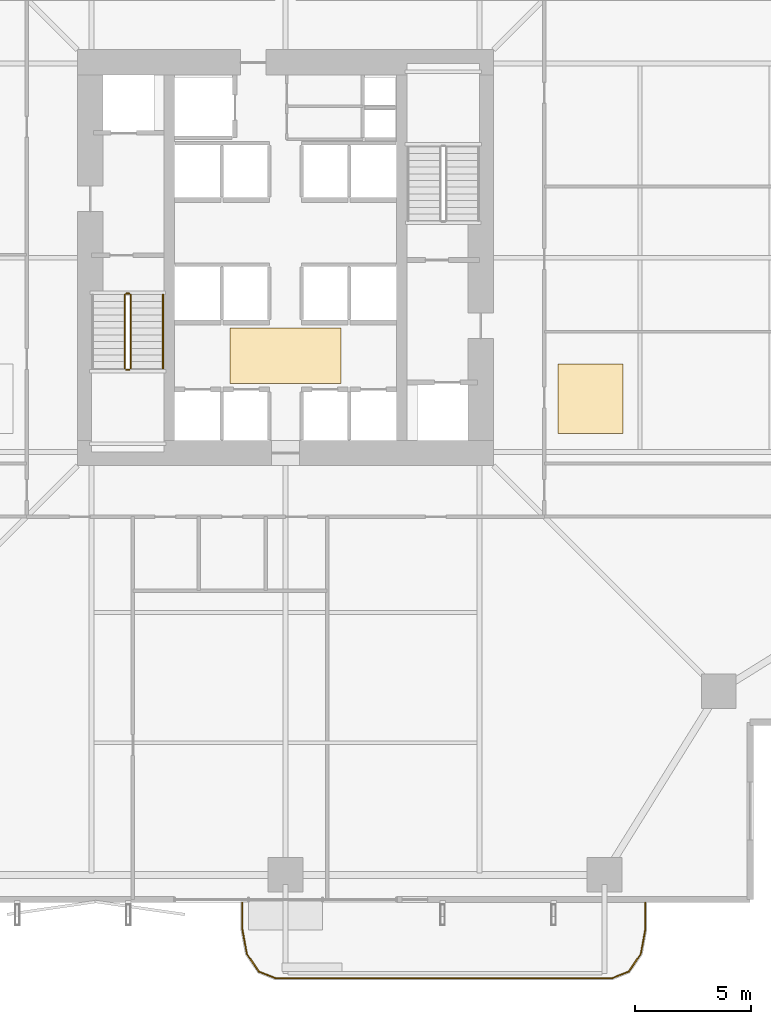
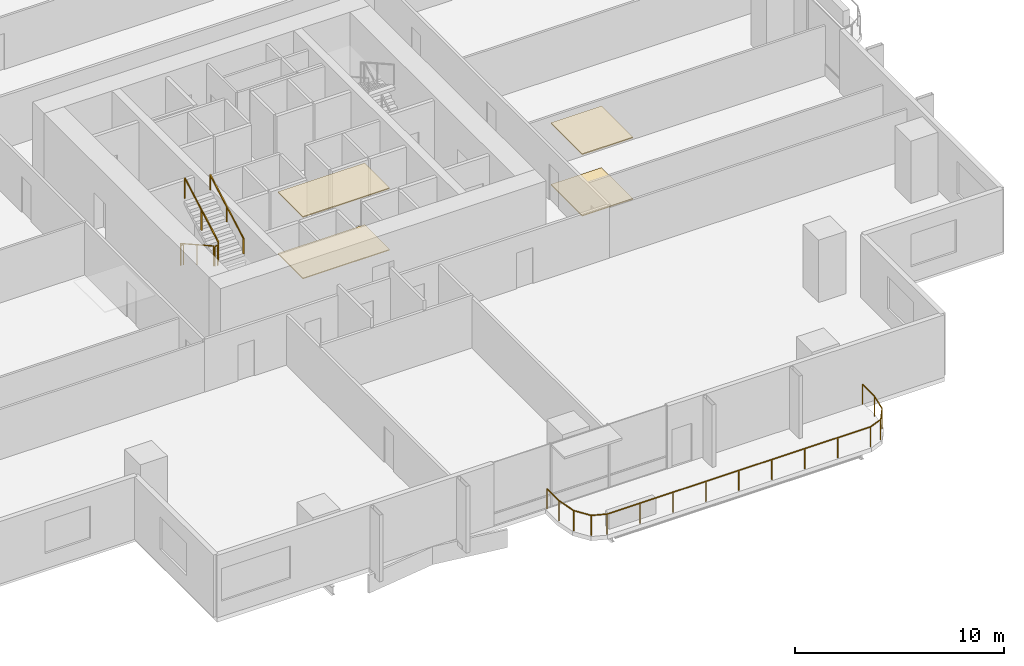
# One storey, part 22 of 24: 6 railings, 4 coverings.
"""IFC4 building model written with IfcOpenShell, lengths in metres."""

from ifc_helpers import new_model, si_unit, direction, frame, origin, origin_2d, place, context, subcontext, project, spatial, polyline, rectangle, outline, extrude, material, layer, layer_set, type_object, element, save


model = new_model("IFC4")

# Units and contexts
model_context = context("Model", 3, precision=1e-05, world=origin(), true_north=direction((0.0, 1.0)))
body_context = subcontext(model_context, "Body", "Model", "MODEL_VIEW")
ifc_project = project(units=[si_unit("LENGTHUNIT", "METRE"), si_unit("AREAUNIT", "SQUARE_METRE"), si_unit("VOLUMEUNIT", "CUBIC_METRE"), si_unit("PLANEANGLEUNIT", "RADIAN"), si_unit("MASSUNIT", "GRAM", prefix="KILO")], contexts=[model_context])

# Site, building, storey
site_placement = place(None, origin())
site = spatial("IfcSite", under=ifc_project, at=site_placement, CompositionType="ELEMENT")
building_placement = place(site_placement, origin())
building = spatial("IfcBuilding", under=site, at=building_placement, Name="Belovzor Exchange Tower", CompositionType="ELEMENT")
storey_placement = place(building_placement, frame((0.0, 0.0, 92.39990234375)))
storey = spatial("IfcBuildingStorey", under=building, at=storey_placement, Name="L22", CompositionType="ELEMENT", Elevation=92.39990234375)

# Railings
ifc_material_1 = material(Name="Stainless Steel Grade 304", Category="steel")
railing_type_1 = type_object("IfcRailingType", Name="Brushed Stainless Steel Stair Handrail 900", PredefinedType="HANDRAIL", material=ifc_material_1)
railing_1_placement = place(storey_placement, frame((23.5, 24.010009765625, 2.112548828125)))
element("IfcRailing", 1, at=railing_1_placement, inside=storey, type_object=railing_type_1, Name="L22 ST-1 stair handrail 2", PredefinedType="HANDRAIL", context=body_context, shape_type="SweptSolid", body=[
    extrude(rectangle(XDim=0.048095703125, YDim=0.048095703125, at=origin_2d()), frame((0.0, 0.0, 0.8759765625), z_axis=(0.0, 0.8723625253, 0.488859514025), x_axis=(-1.0, 0.0, 0.0)), (0.0, 0.0, 1.0), 3.65673828125),
    extrude(rectangle(XDim=0.0419921875, YDim=0.0419921875, at=origin_2d()), origin(), (0.0, 0.0, 1.0), 0.851806640625),
    extrude(rectangle(XDim=0.0419921875, YDim=0.0419921875, at=origin_2d()), frame((0.0, 1.594970703125, 0.893798828125)), (0.0, 0.0, 1.0), 0.851806640625),
    extrude(rectangle(XDim=0.0419921875, YDim=0.0419921875, at=origin_2d()), frame((0.0, 3.18994140625, 1.78759765625)), (0.0, 0.0, 1.0), 0.851806640625),
])
ifc_material_2 = material(Name="Stainless Steel and Laminated Safety Glass", Category="steel")
railing_type_2 = type_object("IfcRailingType", Name="Laminated Glass & Stainless Steel Balcony Balustrade 1200", PredefinedType="BALUSTRADE", material=ifc_material_2)
railing_2_placement = place(storey_placement, frame((26.929931640625, 0.889892578125, 0.0)))
element("IfcRailing", 2, at=railing_2_placement, inside=storey, type_object=railing_type_2, Name="GR-1 Balcony Balustrade L22 South", PredefinedType="BALUSTRADE", context=body_context, shape_type="SweptSolid", body=[
    extrude(rectangle(XDim=0.048095703125, YDim=0.048095703125, at=origin_2d()), frame((0.0, 0.0, 1.17578125), z_axis=(0.0, -1.0, 0.0), x_axis=(1.0, 0.0, 0.0)), (0.0, 0.0, 1.0), 1.1328125),
    extrude(rectangle(XDim=0.048095703125, YDim=0.048095703125, at=origin_2d()), frame((0.0, -1.1328125, 1.17578125), z_axis=(0.180083182347, -0.983651385113, 0.0), x_axis=(0.983651385113, 0.180083182347, 0.0)), (0.0, 0.0, 1.0), 1.093994140625),
    extrude(rectangle(XDim=0.048095703125, YDim=0.048095703125, at=origin_2d()), frame((0.197021484375, -2.208984375, 1.17578125), z_axis=(0.56294695933, -0.826493025367, 0.0), x_axis=(0.826493025367, 0.56294695933, 0.0)), (0.0, 0.0, 1.0), 0.932861328125),
    extrude(rectangle(XDim=0.048095703125, YDim=0.048095703125, at=origin_2d()), frame((0.72216796875, -2.97998046875, 1.17578125), z_axis=(0.930766990125, -0.365612923861, 0.0), x_axis=(0.365612923861, 0.930766990125, 0.0)), (0.0, 0.0, 1.0), 0.765869140625),
    extrude(rectangle(XDim=0.048095703125, YDim=0.048095703125, at=origin_2d()), frame((1.43505859375, -3.260009765625, 1.17578125), z_axis=(1.0, 0.0, 0.0), x_axis=(0.0, 1.0, 0.0)), (0.0, 0.0, 1.0), 14.570068359375),
    extrude(rectangle(XDim=0.048095703125, YDim=0.048095703125, at=origin_2d()), frame((16.005126953125, -3.260009765625, 1.17578125), z_axis=(0.930766990125, 0.365612923861, 0.0), x_axis=(-0.365612923861, 0.930766990125, 0.0)), (0.0, 0.0, 1.0), 0.765869140625),
    extrude(rectangle(XDim=0.048095703125, YDim=0.048095703125, at=origin_2d()), frame((16.718017578125, -2.97998046875, 1.17578125), z_axis=(0.56294695933, 0.826493025367, 0.0), x_axis=(-0.826493025367, 0.56294695933, 0.0)), (0.0, 0.0, 1.0), 0.932861328125),
    extrude(rectangle(XDim=0.048095703125, YDim=0.048095703125, at=origin_2d()), frame((17.2431640625, -2.208984375, 1.17578125), z_axis=(0.180083182347, 0.983651385113, 0.0), x_axis=(-0.983651385113, 0.180083182347, 0.0)), (0.0, 0.0, 1.0), 1.093994140625),
    extrude(rectangle(XDim=0.048095703125, YDim=0.048095703125, at=origin_2d()), frame((17.440185546875, -1.1328125, 1.17578125), z_axis=(0.0, 1.0, 0.0), x_axis=(-1.0, 0.0, 0.0)), (0.0, 0.0, 1.0), 1.1328125),
    extrude(rectangle(XDim=0.0419921875, YDim=0.0419921875, at=origin_2d()), origin(), (0.0, 0.0, 1.0), 1.15185546875),
    extrude(rectangle(XDim=0.0419921875, YDim=0.0419921875, at=origin_2d()), frame((0.0, -1.1328125, 0.0)), (0.0, 0.0, 1.0), 1.15185546875),
    extrude(rectangle(XDim=0.0419921875, YDim=0.0419921875, at=origin_2d()), frame((0.197021484375, -2.208984375, 0.0)), (0.0, 0.0, 1.0), 1.15185546875),
    extrude(rectangle(XDim=0.0419921875, YDim=0.0419921875, at=origin_2d()), frame((0.72216796875, -2.97998046875, 0.0)), (0.0, 0.0, 1.0), 1.15185546875),
    extrude(rectangle(XDim=0.0419921875, YDim=0.0419921875, at=origin_2d()), frame((1.43505859375, -3.260009765625, 0.0)), (0.0, 0.0, 1.0), 1.15185546875),
    extrude(rectangle(XDim=0.0419921875, YDim=0.0419921875, at=origin_2d()), frame((3.25634765625, -3.260009765625, 0.0)), (0.0, 0.0, 1.0), 1.15185546875),
    extrude(rectangle(XDim=0.0419921875, YDim=0.0419921875, at=origin_2d()), frame((5.07763671875, -3.260009765625, 0.0)), (0.0, 0.0, 1.0), 1.15185546875),
    extrude(rectangle(XDim=0.0419921875, YDim=0.0419921875, at=origin_2d()), frame((6.89892578125, -3.260009765625, 0.0)), (0.0, 0.0, 1.0), 1.15185546875),
    extrude(rectangle(XDim=0.0419921875, YDim=0.0419921875, at=origin_2d()), frame((8.72021484375, -3.260009765625, 0.0)), (0.0, 0.0, 1.0), 1.15185546875),
    extrude(rectangle(XDim=0.0419921875, YDim=0.0419921875, at=origin_2d()), frame((10.541259765625, -3.260009765625, 0.0)), (0.0, 0.0, 1.0), 1.15185546875),
    extrude(rectangle(XDim=0.0419921875, YDim=0.0419921875, at=origin_2d()), frame((12.362548828125, -3.260009765625, 0.0)), (0.0, 0.0, 1.0), 1.15185546875),
    extrude(rectangle(XDim=0.0419921875, YDim=0.0419921875, at=origin_2d()), frame((14.183837890625, -3.260009765625, 0.0)), (0.0, 0.0, 1.0), 1.15185546875),
    extrude(rectangle(XDim=0.0419921875, YDim=0.0419921875, at=origin_2d()), frame((16.005126953125, -3.260009765625, 0.0)), (0.0, 0.0, 1.0), 1.15185546875),
    extrude(rectangle(XDim=0.0419921875, YDim=0.0419921875, at=origin_2d()), frame((16.718017578125, -2.97998046875, 0.0)), (0.0, 0.0, 1.0), 1.15185546875),
    extrude(rectangle(XDim=0.0419921875, YDim=0.0419921875, at=origin_2d()), frame((17.2431640625, -2.208984375, 0.0)), (0.0, 0.0, 1.0), 1.15185546875),
    extrude(rectangle(XDim=0.0419921875, YDim=0.0419921875, at=origin_2d()), frame((17.440185546875, -1.1328125, 0.0)), (0.0, 0.0, 1.0), 1.15185546875),
    extrude(rectangle(XDim=0.0419921875, YDim=0.0419921875, at=origin_2d()), frame((17.440185546875, 0.0, 0.0)), (0.0, 0.0, 1.0), 1.15185546875),
])
ifc_material_3 = material(Name="Steel S355", Category="steel")
railing_type_3 = type_object("IfcRailingType", Name="Painted Steel Stairwell Guardrail 1200", PredefinedType="GUARDRAIL", material=ifc_material_3)
railing_3_placement = place(storey_placement, frame((21.85009765625, 27.199951171875, 0.16259765625)))
element("IfcRailing", 3, at=railing_3_placement, inside=storey, type_object=railing_type_3, Name="L22 ST-1 stair guard 1", PredefinedType="GUARDRAIL", context=body_context, shape_type="SweptSolid", body=[
    extrude(rectangle(XDim=0.048095703125, YDim=0.048095703125, at=origin_2d()), frame((0.0, 0.0, 1.17578125), z_axis=(0.0, -0.8723625253, 0.488859514025), x_axis=(1.0, 0.0, 0.0)), (0.0, 0.0, 1.0), 3.65673828125),
    extrude(rectangle(XDim=0.0419921875, YDim=0.0419921875, at=origin_2d()), origin(), (0.0, 0.0, 1.0), 1.15185546875),
    extrude(rectangle(XDim=0.0419921875, YDim=0.0419921875, at=origin_2d()), frame((0.0, -1.594970703125, 0.893798828125)), (0.0, 0.0, 1.0), 1.15185546875),
    extrude(rectangle(XDim=0.0419921875, YDim=0.0419921875, at=origin_2d()), frame((0.0, -3.18994140625, 1.78759765625)), (0.0, 0.0, 1.0), 1.15185546875),
])
railing_4_placement = place(storey_placement, frame((21.89990234375, 23.9599609375, 1.9501953125)))
element("IfcRailing", 4, at=railing_4_placement, inside=storey, type_object=railing_type_3, Name="L22 ST-1 stair guard 2", PredefinedType="GUARDRAIL", context=body_context, shape_type="SweptSolid", body=[
    extrude(rectangle(XDim=0.048095703125, YDim=0.048095703125, at=origin_2d()), frame((0.0, 0.0, 1.17578125), z_axis=(1.0, 0.0, 0.0), x_axis=(0.0, 1.0, 0.0)), (0.0, 0.0, 1.0), 0.150146484375),
    extrude(rectangle(XDim=0.0419921875, YDim=0.0419921875, at=origin_2d()), origin(), (0.0, 0.0, 1.0), 1.15185546875),
    extrude(rectangle(XDim=0.0419921875, YDim=0.0419921875, at=origin_2d()), frame((0.150146484375, 0.0, 0.0)), (0.0, 0.0, 1.0), 1.15185546875),
])
railing_5_placement = place(storey_placement, frame((22.10009765625, 24.010009765625, 2.112548828125)))
element("IfcRailing", 5, at=railing_5_placement, inside=storey, type_object=railing_type_3, Name="L22 ST-1 stair guard 3", PredefinedType="GUARDRAIL", context=body_context, shape_type="SweptSolid", body=[
    extrude(rectangle(XDim=0.048095703125, YDim=0.048095703125, at=origin_2d()), frame((0.0, 0.0, 1.17578125), z_axis=(0.0, 0.8723625253, 0.488859514025), x_axis=(-1.0, 0.0, 0.0)), (0.0, 0.0, 1.0), 3.65673828125),
    extrude(rectangle(XDim=0.0419921875, YDim=0.0419921875, at=origin_2d()), origin(), (0.0, 0.0, 1.0), 1.15185546875),
    extrude(rectangle(XDim=0.0419921875, YDim=0.0419921875, at=origin_2d()), frame((0.0, 1.594970703125, 0.893798828125)), (0.0, 0.0, 1.0), 1.15185546875),
    extrude(rectangle(XDim=0.0419921875, YDim=0.0419921875, at=origin_2d()), frame((0.0, 3.18994140625, 1.78759765625)), (0.0, 0.0, 1.0), 1.15185546875),
])
railing_6_placement = place(storey_placement, frame((21.89990234375, 27.25, 0.0)))
element("IfcRailing", 6, at=railing_6_placement, inside=storey, type_object=railing_type_3, Name="L22 ST-1 stair guard 4", PredefinedType="GUARDRAIL", context=body_context, shape_type="SweptSolid", body=[
    extrude(rectangle(XDim=0.048095703125, YDim=0.048095703125, at=origin_2d()), frame((0.0, 0.0, 1.17578125), z_axis=(1.0, 0.0, 0.0), x_axis=(0.0, 1.0, 0.0)), (0.0, 0.0, 1.0), 0.150146484375),
    extrude(rectangle(XDim=0.0419921875, YDim=0.0419921875, at=origin_2d()), origin(), (0.0, 0.0, 1.0), 1.15185546875),
    extrude(rectangle(XDim=0.0419921875, YDim=0.0419921875, at=origin_2d()), frame((0.150146484375, 0.0, 0.0)), (0.0, 0.0, 1.0), 1.15185546875),
])

# Coverings
ifc_material_4 = material(Name="Perforated Powder-Coated Aluminium", Category="aluminium")
ifc_layer_1 = layer(ifc_material_4, 0.06005859375)
ifc_layer_set_1 = layer_set([ifc_layer_1], Name="Perforated Powder-Coated Aluminium")
covering_type_1 = type_object("IfcCoveringType", Name="Perforated Acoustic Metal Tile Suspended Ceiling 60", PredefinedType="CEILING", material=ifc_layer_set_1)
covering_1_placement = place(storey_placement, frame((0.0, 0.0, 3.590087890625)))
element("IfcCovering", 7, at=covering_1_placement, inside=storey, type_object=covering_type_1, Name="CLG-AC60 Suspended Ceiling CLG-L22-LOB", PredefinedType="CEILING", context=body_context, shape_type="SweptSolid", body=[
    extrude(outline(polyline([(26.39990234375, 23.35009765625), (31.199951171875, 23.35009765625), (31.199951171875, 25.75), (26.39990234375, 25.75), (26.39990234375, 23.35009765625)])), origin(), (0.0, 0.0, 1.0), 0.06005859375),
])
covering_2_placement = place(storey_placement, frame((0.0, 0.0, 3.590087890625)))
element("IfcCovering", 8, at=covering_2_placement, inside=storey, type_object=covering_type_1, Name="CLG-AC60 Suspended Ceiling CLG-L22-Z0", PredefinedType="CEILING", context=body_context, shape_type="SweptSolid", body=[
    extrude(outline(polyline([(40.60009765625, 21.199951171875), (43.39990234375, 21.199951171875), (43.39990234375, 24.199951171875), (40.60009765625, 24.199951171875), (40.60009765625, 21.199951171875)])), origin(), (0.0, 0.0, 1.0), 0.06005859375),
])
ifc_material_5 = material(Name="Polished Natural Granite Tile", Category="masonry")
ifc_layer_2 = layer(ifc_material_5, 0.050048828125)
ifc_layer_set_2 = layer_set([ifc_layer_2], Name="Polished Natural Granite Tile")
covering_type_2 = type_object("IfcCoveringType", Name="Polished Karelian Granite & Raised Access Floor Finish 50", PredefinedType="FLOORING", material=ifc_layer_set_2)
covering_3_placement = place(storey_placement, origin())
element("IfcCovering", 9, at=covering_3_placement, inside=storey, type_object=covering_type_2, Name="FLR-GR50 Floor Finish FLR-L22-LOB", PredefinedType="FLOORING", context=body_context, shape_type="SweptSolid", body=[
    extrude(outline(polyline([(26.39990234375, 23.35009765625), (31.199951171875, 23.35009765625), (31.199951171875, 25.75), (26.39990234375, 25.75), (26.39990234375, 23.35009765625)])), origin(), (0.0, 0.0, 1.0), 0.050048828125),
])
covering_4_placement = place(storey_placement, origin())
element("IfcCovering", 10, at=covering_4_placement, inside=storey, type_object=covering_type_2, Name="FLR-GR50 Floor Finish FLR-L22-Z0", PredefinedType="FLOORING", context=body_context, shape_type="SweptSolid", body=[
    extrude(outline(polyline([(40.60009765625, 21.199951171875), (43.39990234375, 21.199951171875), (43.39990234375, 24.199951171875), (40.60009765625, 24.199951171875), (40.60009765625, 21.199951171875)])), origin(), (0.0, 0.0, 1.0), 0.050048828125),
])

save(model, "model.ifc")
